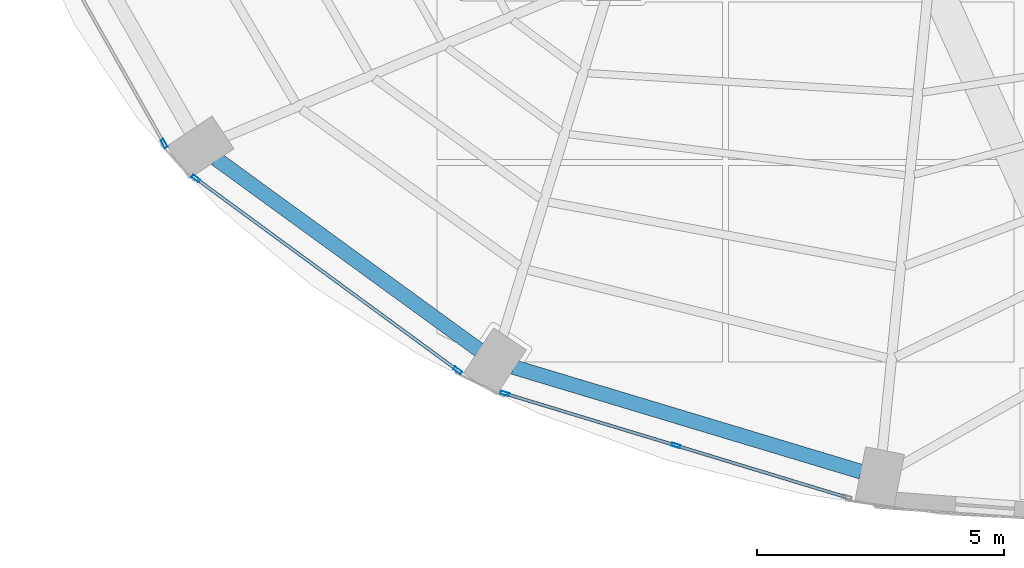
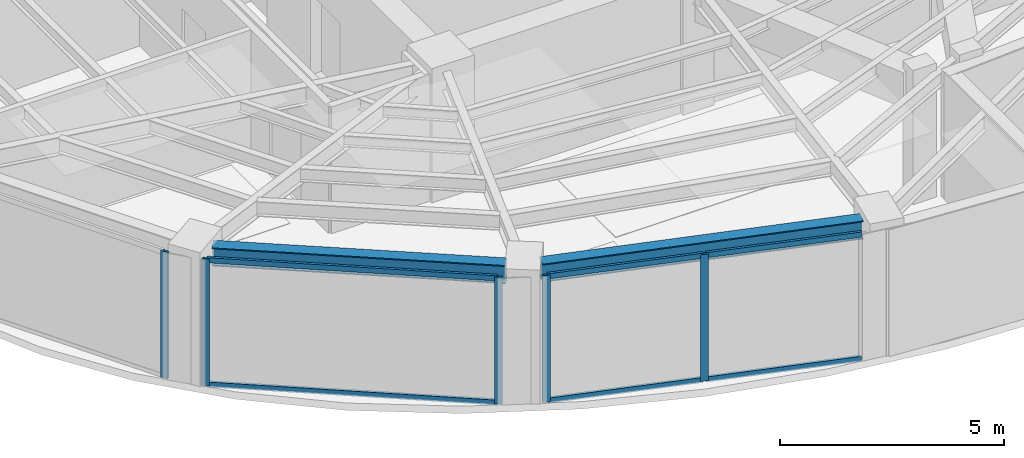
# One storey, part 2 of 22: 11 members, 2 beams, 3 elements without a shape of their own.
"""IFC4 building model written with IfcOpenShell, lengths in metres."""

from ifc_helpers import new_model, si_unit, direction, frame, origin, origin_2d, place, context, subcontext, project, spatial, hollow_rectangle, i_section, extrude, material, layer, layer_set, material_profile, profile_set, type_object, element, aggregate, save


model = new_model("IFC4")

# Units and contexts
model_context = context("Model", 3, precision=1e-05, world=origin(), true_north=direction((0.0, 1.0)))
body_context = subcontext(model_context, "Body", "Model", "MODEL_VIEW")
ifc_project = project(units=[si_unit("LENGTHUNIT", "METRE"), si_unit("AREAUNIT", "SQUARE_METRE"), si_unit("VOLUMEUNIT", "CUBIC_METRE"), si_unit("PLANEANGLEUNIT", "RADIAN"), si_unit("MASSUNIT", "GRAM", prefix="KILO")], contexts=[model_context])

# Site, building, storey
site_placement = place(None, origin())
site = spatial("IfcSite", under=ifc_project, at=site_placement, CompositionType="ELEMENT")
building_placement = place(site_placement, origin())
building = spatial("IfcBuilding", under=site, at=building_placement, Name="Lazwardi Medical Tower", CompositionType="ELEMENT")
storey_placement = place(building_placement, frame((0.0, 0.0, 227.6640625)))
storey = spatial("IfcBuildingStorey", under=building, at=storey_placement, Name="L59", CompositionType="ELEMENT", Elevation=227.6640625)

# Beams
ifc_material_1 = material(Name="Steel S355", Category="steel")
ifc_material_profile_1 = material_profile(ifc_material_1, i_section(OverallWidth=0.300048828125, OverallDepth=0.5, WebThickness=0.014404296875, FlangeThickness=0.028076171875, at=origin_2d()), Name="HEB 500")
ifc_profile_set_1 = profile_set([ifc_material_profile_1], Name="Steel S355")
beam_type = type_object("IfcBeamType", Name="BM-RB-Z4", PredefinedType="BEAM", material=ifc_profile_set_1)
beam_1_placement = place(storey_placement, frame((18.355712890625, 16.648193359375, 3.197998046875), z_axis=(0.808889916254, -0.587960120571, 0.0), x_axis=(0.587960120571, 0.808889916254, 0.0)))
element("IfcBeam", 1, at=beam_1_placement, inside=storey, type_object=beam_type, Name="Ring beam RB-05 B14 L59", PredefinedType="BEAM", context=body_context, shape_type="SweptSolid", body=[
    extrude(i_section(OverallWidth=0.300048828125, OverallDepth=0.5, WebThickness=0.014404296875, FlangeThickness=0.028076171875, at=origin_2d()), origin(), (0.0, 0.0, 1.0), 6.587158203125),
])
beam_2_placement = place(storey_placement, frame((24.373046875, 12.43359375, 3.197998046875), z_axis=(0.957544311906, -0.288286126506, 0.0), x_axis=(0.288286126506, 0.957544311906, 0.0)))
element("IfcBeam", 2, at=beam_2_placement, inside=storey, type_object=beam_type, Name="Ring beam RB-05 B15 L59", PredefinedType="BEAM", context=body_context, shape_type="SweptSolid", body=[
    extrude(i_section(OverallWidth=0.300048828125, OverallDepth=0.5, WebThickness=0.014404296875, FlangeThickness=0.028076171875, at=origin_2d()), origin(), (0.0, 0.0, 1.0), 7.3515625),
])

# Curtain wall, member
ifc_material_2 = material(Name="Anodised bronze aluminium and solar control glazing", Category="aluminium")
ifc_layer = layer(ifc_material_2, 0.18994140625)
ifc_layer_set = layer_set([ifc_layer], Name="Anodised bronze aluminium and solar control glazing")
curtain_wall_type = type_object("IfcCurtainWallType", Name="CW-SYS-04", PredefinedType="NOTDEFINED", material=ifc_layer_set)
curtain_wall_1_placement = place(storey_placement, origin())
curtain_wall_1 = element("IfcCurtainWall", 3, at=curtain_wall_1_placement, inside=storey, type_object=curtain_wall_type, Name="L59 Unitised bronze curtain wall CW-04", PredefinedType="NOTDEFINED")
ifc_material_3 = material(Name="Anodised bronze aluminium", Category="aluminium")
ifc_material_profile_2 = material_profile(ifc_material_3, hollow_rectangle(XDim=0.06494140625, YDim=0.179931640625, WallThickness=0.00390625, at=origin_2d()), Name="ALU-MULLION 180x65x4")
ifc_profile_set_2 = profile_set([ifc_material_profile_2], Name="Anodised bronze aluminium")
member_type_1 = type_object("IfcMemberType", Name="CW-MUL-03", PredefinedType="MULLION", material=ifc_profile_set_2)
member_1_placement = place(storey_placement, frame((17.3056640625, 16.95458984375, 0.0), z_axis=(0.0, 0.0, 1.0), x_axis=(0.870651436011, 0.491900474661, 0.0)))
member_1 = element("IfcMember", 4, at=member_1_placement, type_object=member_type_1, Name="CW-04 mullion 2", PredefinedType="MULLION", context=body_context, shape_type="SweptSolid", body=[
    extrude(hollow_rectangle(XDim=0.06494140625, YDim=0.179931640625, WallThickness=0.00390625, at=origin_2d()), origin(), (0.0, 0.0, 1.0), 3.447998046875),
])
aggregate(curtain_wall_1, [member_1])

# Curtain wall, members
curtain_wall_2_placement = place(storey_placement, origin())
curtain_wall_2 = element("IfcCurtainWall", 5, at=curtain_wall_2_placement, inside=storey, type_object=curtain_wall_type, Name="L59 Unitised bronze curtain wall CW-04", PredefinedType="NOTDEFINED")
member_2_placement = place(storey_placement, frame((17.947998046875, 16.248291015625, 0.0), z_axis=(0.0, 0.0, 1.0), x_axis=(0.591268230971, 0.806474971121, 0.0)))
member_2 = element("IfcMember", 6, at=member_2_placement, type_object=member_type_1, Name="CW-04 mullion 1", PredefinedType="MULLION", context=body_context, shape_type="SweptSolid", body=[
    extrude(hollow_rectangle(XDim=0.06494140625, YDim=0.179931640625, WallThickness=0.00390625, at=origin_2d()), origin(), (0.0, 0.0, 1.0), 3.447998046875),
])
member_3_placement = place(storey_placement, frame((23.24462890625, 12.365234375, 0.0), z_axis=(0.0, 0.0, 1.0), x_axis=(0.591268230971, 0.806474971121, 0.0)))
member_3 = element("IfcMember", 7, at=member_3_placement, type_object=member_type_1, Name="CW-04 mullion 2", PredefinedType="MULLION", context=body_context, shape_type="SweptSolid", body=[
    extrude(hollow_rectangle(XDim=0.06494140625, YDim=0.179931640625, WallThickness=0.00390625, at=origin_2d()), origin(), (0.0, 0.0, 1.0), 3.447998046875),
])

curtain_wall_3_placement = place(storey_placement, origin())
curtain_wall_3 = element("IfcCurtainWall", 8, at=curtain_wall_3_placement, inside=storey, type_object=curtain_wall_type, Name="L59 Unitised bronze curtain wall CW-04", PredefinedType="NOTDEFINED")
member_4_placement = place(storey_placement, frame((24.2001953125, 11.896484375, 0.0), z_axis=(0.0, 0.0, 1.0), x_axis=(0.290581889515, 0.956850126972, 0.0)))
member_4 = element("IfcMember", 9, at=member_4_placement, type_object=member_type_1, Name="CW-04 mullion 1", PredefinedType="MULLION", context=body_context, shape_type="SweptSolid", body=[
    extrude(hollow_rectangle(XDim=0.06494140625, YDim=0.179931640625, WallThickness=0.00390625, at=origin_2d()), origin(), (0.0, 0.0, 1.0), 3.447998046875),
])
member_5_placement = place(storey_placement, frame((27.66357421875, 10.8447265625, 0.0), z_axis=(0.0, 0.0, 1.0), x_axis=(0.290581889515, 0.956850126972, 0.0)))
member_5 = element("IfcMember", 10, at=member_5_placement, type_object=member_type_1, Name="CW-04 mullion 2", PredefinedType="MULLION", context=body_context, shape_type="SweptSolid", body=[
    extrude(hollow_rectangle(XDim=0.06494140625, YDim=0.179931640625, WallThickness=0.00390625, at=origin_2d()), origin(), (0.0, 0.0, 1.0), 3.447998046875),
])

# Member
ifc_material_profile_3 = material_profile(ifc_material_3, hollow_rectangle(XDim=0.06494140625, YDim=0.139892578125, WallThickness=0.00341796875, at=origin_2d()), Name="ALU-TRANSOM 140x65x3.5")
ifc_profile_set_3 = profile_set([ifc_material_profile_3], Name="Anodised bronze aluminium")
member_type_2 = type_object("IfcMemberType", Name="CW-TRN-03", PredefinedType="USERDEFINED", material=ifc_profile_set_3)
member_6_placement = place(storey_placement, frame((17.97412109375, 16.229248046875, 0.032470703125), z_axis=(0.806471831148, -0.591272513791, 0.0), x_axis=(0.591272513791, 0.806471831148, 0.0)))
member_6 = element("IfcMember", 11, at=member_6_placement, type_object=member_type_2, Name="CW-04 transom 1.1", ObjectType="TRANSOM", PredefinedType="USERDEFINED", context=body_context, shape_type="SweptSolid", body=[
    extrude(hollow_rectangle(XDim=0.06494140625, YDim=0.139892578125, WallThickness=0.00341796875, at=origin_2d()), origin(), (0.0, 0.0, 1.0), 6.5029296875),
])

member_7_placement = place(storey_placement, frame((17.97412109375, 16.229248046875, 3.41552734375), z_axis=(0.806471831148, -0.591272513791, 0.0), x_axis=(0.591272513791, 0.806471831148, 0.0)))
member_7 = element("IfcMember", 12, at=member_7_placement, type_object=member_type_2, Name="CW-04 transom 1.2", ObjectType="TRANSOM", PredefinedType="USERDEFINED", context=body_context, shape_type="SweptSolid", body=[
    extrude(hollow_rectangle(XDim=0.06494140625, YDim=0.139892578125, WallThickness=0.00341796875, at=origin_2d()), origin(), (0.0, 0.0, 1.0), 6.5029296875),
])

aggregate(curtain_wall_2, [member_2, member_3, member_6, member_7])

member_8_placement = place(storey_placement, frame((24.2314453125, 11.886962890625, 0.032470703125), z_axis=(0.956862505902, -0.290541124109, 0.0), x_axis=(0.290541124109, 0.956862505902, 0.0)))
member_8 = element("IfcMember", 13, at=member_8_placement, type_object=member_type_2, Name="CW-04 transom 1.1", ObjectType="TRANSOM", PredefinedType="USERDEFINED", context=body_context, shape_type="SweptSolid", body=[
    extrude(hollow_rectangle(XDim=0.06494140625, YDim=0.139892578125, WallThickness=0.00341796875, at=origin_2d()), origin(), (0.0, 0.0, 1.0), 3.554443359375),
])

member_9_placement = place(storey_placement, frame((24.2314453125, 11.886962890625, 3.41552734375), z_axis=(0.956862505902, -0.290541124109, 0.0), x_axis=(0.290541124109, 0.956862505902, 0.0)))
member_9 = element("IfcMember", 14, at=member_9_placement, type_object=member_type_2, Name="CW-04 transom 1.2", ObjectType="TRANSOM", PredefinedType="USERDEFINED", context=body_context, shape_type="SweptSolid", body=[
    extrude(hollow_rectangle(XDim=0.06494140625, YDim=0.139892578125, WallThickness=0.00341796875, at=origin_2d()), origin(), (0.0, 0.0, 1.0), 3.554443359375),
])

member_10_placement = place(storey_placement, frame((27.694580078125, 10.835205078125, 0.032470703125), z_axis=(0.956862505902, -0.290541124109, 0.0), x_axis=(0.290541124109, 0.956862505902, 0.0)))
member_10 = element("IfcMember", 15, at=member_10_placement, type_object=member_type_2, Name="CW-04 transom 2.1", ObjectType="TRANSOM", PredefinedType="USERDEFINED", context=body_context, shape_type="SweptSolid", body=[
    extrude(hollow_rectangle(XDim=0.06494140625, YDim=0.139892578125, WallThickness=0.00341796875, at=origin_2d()), origin(), (0.0, 0.0, 1.0), 3.554443359375),
])

member_11_placement = place(storey_placement, frame((27.694580078125, 10.835205078125, 3.41552734375), z_axis=(0.956862505902, -0.290541124109, 0.0), x_axis=(0.290541124109, 0.956862505902, 0.0)))
member_11 = element("IfcMember", 16, at=member_11_placement, type_object=member_type_2, Name="CW-04 transom 2.2", ObjectType="TRANSOM", PredefinedType="USERDEFINED", context=body_context, shape_type="SweptSolid", body=[
    extrude(hollow_rectangle(XDim=0.06494140625, YDim=0.139892578125, WallThickness=0.00341796875, at=origin_2d()), origin(), (0.0, 0.0, 1.0), 3.554443359375),
])

aggregate(curtain_wall_3, [member_4, member_5, member_8, member_9, member_10, member_11])

save(model, "model.ifc")
